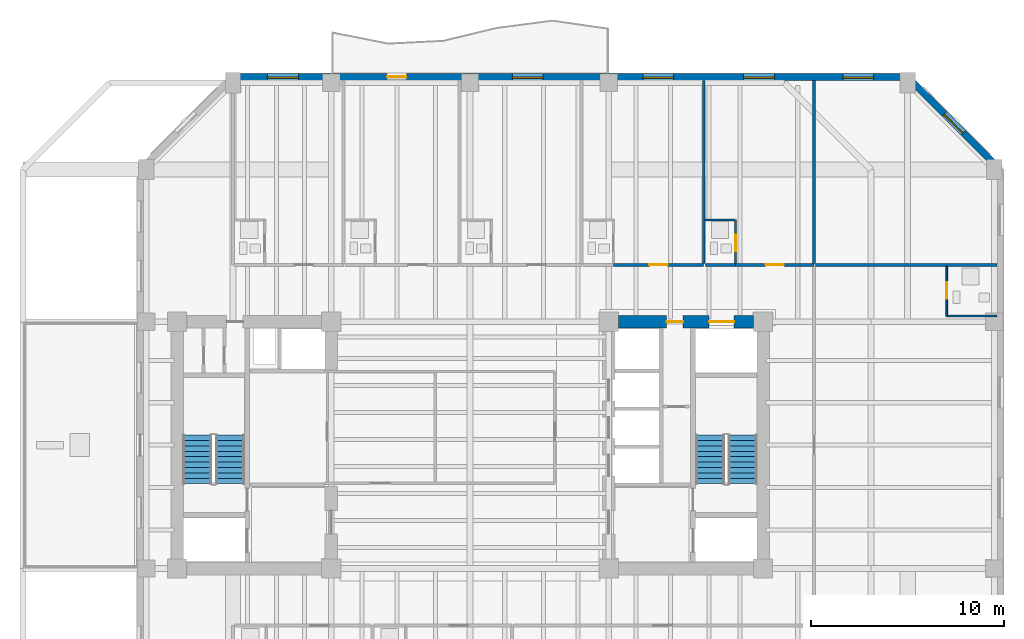
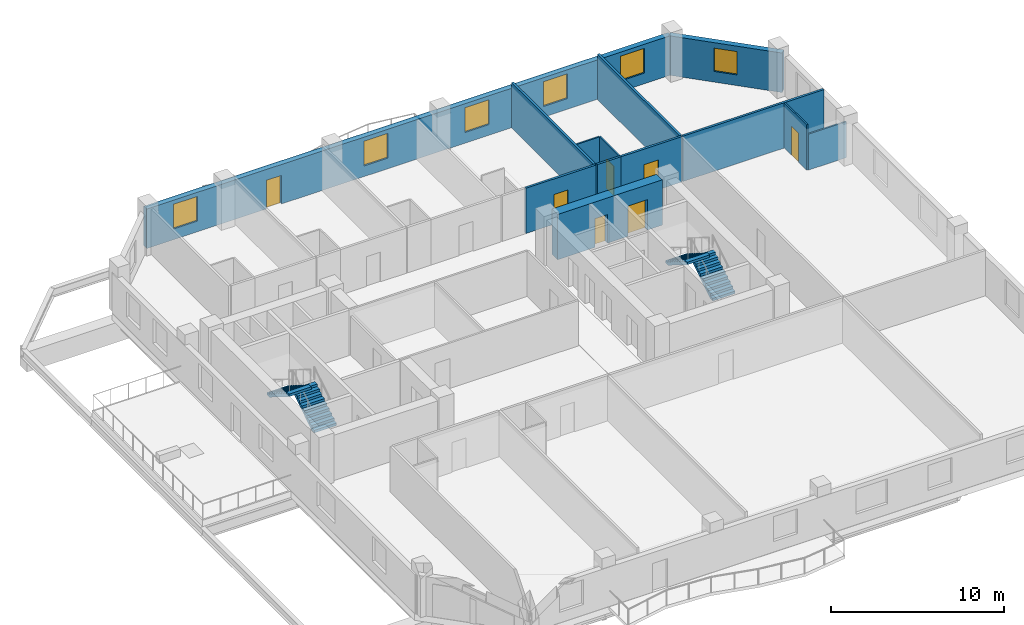
# One storey, part 6 of 11: 13 walls, 7 doors, 6 windows, 4 stair flights, 13 openings, 2 elements without a shape of their own.
"""IFC4 building model written with IfcOpenShell, lengths in metres."""

import ifcopenshell
import ifcopenshell.guid

model = None  # the IFC model being written
_history = None  # IfcOwnerHistory: only IFC2X3 demands one
_inside = {}  # id of a spatial element -> (the spatial element, [elements in it])
_under = {}  # id of a project, library or spatial element -> (it, [spatial elements below it])
_declared = {}  # id of a project -> (the project, [libraries it declares])
_typed = {}  # id of a type object -> (the type object, [elements of that type])
_made_of = {}  # id of a material, layer set ... -> (it, [elements and type objects made of it])


def new_model(schema):
    """Start an empty IFC model of exactly this schema.

    Asked for "IFC4X3", IfcOpenShell would pick the latest addendum, in which some entities
    have other attributes; the version numbers below select the first issue.
    IFC2X3 requires an IfcOwnerHistory on every rooted entity: one is made here for all.
    """
    global model, _history
    if schema == "IFC4X3":
        model = ifcopenshell.file(schema_version=(4, 3, 0, 0))
    else:
        model = ifcopenshell.file(schema=schema)
    _inside.clear()
    _under.clear()
    _declared.clear()
    _typed.clear()
    _made_of.clear()
    _history = None
    if model.schema == "IFC2X3":
        org = make("IfcOrganization", Name="unknown")
        user = make(
            "IfcPersonAndOrganization",
            ThePerson=make("IfcPerson", FamilyName="unknown"),
            TheOrganization=org,
        )
        app = make(
            "IfcApplication",
            ApplicationDeveloper=org,
            Version="unknown",
            ApplicationFullName="unknown",
            ApplicationIdentifier="unknown",
        )
        _history = make(
            "IfcOwnerHistory",
            OwningUser=user,
            OwningApplication=app,
            ChangeAction="ADDED",
            CreationDate=0,
        )
    return model


def make(cls, **values):
    """One entity of the class cls with the attributes given. An attribute that is None is left unset."""
    return model.create_entity(
        cls, **{name: value for name, value in values.items() if value is not None}
    )


def rooted(cls, **values):
    """An entity with a GlobalId (a new one), such as an element, a storey or a relation."""
    return make(cls, GlobalId=ifcopenshell.guid.new(), OwnerHistory=_history, **values)


def si_unit(unit_type, name, prefix=None):
    """IfcSIUnit, for example si_unit("LENGTHUNIT", "METRE", prefix="MILLI")."""
    return make("IfcSIUnit", UnitType=unit_type, Prefix=prefix, Name=name)


def assignment(units):
    """IfcUnitAssignment: the units of a project."""
    return None if units is None else make("IfcUnitAssignment", Units=units)


def point(xyz):
    """IfcCartesianPoint."""
    return None if xyz is None else make("IfcCartesianPoint", Coordinates=xyz)


def direction(xyz):
    """IfcDirection."""
    return None if xyz is None else make("IfcDirection", DirectionRatios=xyz)


def frame(location, z_axis=None, x_axis=None):
    """IfcAxis2Placement3D, a coordinate frame: its origin and axes. An axis left out is left unset."""
    return make(
        "IfcAxis2Placement3D",
        Location=point(location),
        Axis=direction(z_axis),
        RefDirection=direction(x_axis),
    )


def frame_2d(location, x_axis=None):
    """IfcAxis2Placement2D, a coordinate frame in the plane: its origin and x axis."""
    return make(
        "IfcAxis2Placement2D", Location=point(location), RefDirection=direction(x_axis)
    )


def origin():
    """The frame at (0, 0, 0) with its axes left unset."""
    return frame((0.0, 0.0, 0.0))


def place(relative_to, where):
    """IfcLocalPlacement: puts the frame where relative to a parent placement (None: the world)."""
    return make(
        "IfcLocalPlacement", PlacementRelTo=relative_to, RelativePlacement=where
    )


def context(
    kind, dimensions, precision=None, world=None, true_north=None, identifier=None
):
    """IfcGeometricRepresentationContext, for example the 3D "Model" context."""
    return make(
        "IfcGeometricRepresentationContext",
        ContextIdentifier=identifier,
        ContextType=kind,
        CoordinateSpaceDimension=dimensions,
        Precision=precision,
        WorldCoordinateSystem=world,
        TrueNorth=true_north,
    )


def subcontext(parent, identifier, kind, view, scale=None):
    """IfcGeometricRepresentationSubContext, for example "Body" below "Model"."""
    return make(
        "IfcGeometricRepresentationSubContext",
        ContextIdentifier=identifier,
        ContextType=kind,
        ParentContext=parent,
        TargetScale=scale,
        TargetView=view,
    )


def project(units=None, contexts=None):
    """IfcProject with its units and contexts."""
    return rooted(
        "IfcProject",
        Name="project",
        RepresentationContexts=contexts,
        UnitsInContext=assignment(units),
    )


def spatial(cls, under=None, at=None, **own):
    """A site, building, storey or space (cls), placed at a placement, below another one or the project."""
    s = rooted(cls, ObjectPlacement=at, **own)
    if under is not None:
        _under.setdefault(under.id(), (under, []))[1].append(s)
    return s


def polyline(points):
    """IfcPolyline through the points."""
    return make("IfcPolyline", Points=[point(p) for p in points])


def profile(cls, at=None, kind="AREA", **sizes):
    """A parametric profile (cls). Its sizes go by their IFC names, for example OverallWidth=200.0."""
    return make(cls, ProfileType=kind, Position=at, **sizes)


def rectangle(**sizes):
    """IfcRectangleProfileDef."""
    return profile("IfcRectangleProfileDef", **sizes)


def outline(outer, holes=None, kind="AREA"):
    """IfcArbitraryClosedProfileDef: a profile drawn as a closed curve; with holes, ...WithVoids."""
    if holes is None:
        return make("IfcArbitraryClosedProfileDef", ProfileType=kind, OuterCurve=outer)
    return make(
        "IfcArbitraryProfileDefWithVoids",
        ProfileType=kind,
        OuterCurve=outer,
        InnerCurves=holes,
    )


def extrude(swept, where, along, depth):
    """IfcExtrudedAreaSolid: the profile swept, set in the frame where, extruded along a direction by depth."""
    return make(
        "IfcExtrudedAreaSolid",
        SweptArea=swept,
        Position=where,
        ExtrudedDirection=direction(along),
        Depth=depth,
    )


def shape(context_of_items, identifier, shape_type, items):
    """IfcShapeRepresentation: the items that make up one representation, for example the "Body"."""
    return make(
        "IfcShapeRepresentation",
        ContextOfItems=context_of_items,
        RepresentationIdentifier=identifier,
        RepresentationType=shape_type,
        Items=items,
    )


def material(Name=None, Category=None):
    """IfcMaterial."""
    return make("IfcMaterial", Name=Name, Category=Category)


def layer(
    of_material, thickness, ventilated=None, Name=None, Category=None, Priority=None
):
    """IfcMaterialLayer: one layer of a wall or slab, of a material (None: an air gap)."""
    return make(
        "IfcMaterialLayer",
        Material=of_material,
        LayerThickness=thickness,
        IsVentilated=ventilated,
        Name=Name,
        Category=Category,
        Priority=Priority,
    )


def layer_set(layers, Name=None):
    """IfcMaterialLayerSet."""
    return make("IfcMaterialLayerSet", MaterialLayers=layers, LayerSetName=Name)


def made_of(thing, what):
    """Note that an element or type object is made of a material, layer set ...; save() writes the relation."""
    if what is not None:
        _made_of.setdefault(what.id(), (what, []))[1].append(thing)
    return thing


def type_object(cls, material=None, **own):
    """A type object (cls), such as IfcWallType, which elements share."""
    return made_of(rooted(cls, **own), material)


def element(
    cls,
    number,
    at=None,
    inside=None,
    cuts=None,
    type_object=None,
    material=None,
    context=None,
    identifier="Body",
    shape_type=None,
    held_by="IfcProductDefinitionShape",
    body=None,
    shapes=None,
    **own,
):
    """One element of the class cls, such as IfcWall. Its Tag is "e" and its number.

    at: its placement. inside: the storey or other place that contains it. cuts: it is an
    opening in that element (IfcRelVoidsElement). A single representation is given by context,
    identifier, shape_type and body (its items); several are given by shapes. held_by: the class
    of the entity that holds the representations. save() writes the other relations.
    """
    e = rooted(cls, Tag="e%d" % number, ObjectPlacement=at, **own)
    if body is not None:
        shapes = [shape(context, identifier, shape_type, body)]
    if shapes is not None:
        e.Representation = make(held_by, Representations=shapes)
    if inside is not None:
        _inside.setdefault(inside.id(), (inside, []))[1].append(e)
    if cuts is not None:
        rooted(
            "IfcRelVoidsElement", RelatingBuildingElement=cuts, RelatedOpeningElement=e
        )
    if type_object is not None:
        _typed.setdefault(type_object.id(), (type_object, []))[1].append(e)
    return made_of(e, material)


def fill(opening, filler):
    """IfcRelFillsElement: the door or window that sits in an opening."""
    return rooted(
        "IfcRelFillsElement",
        RelatingOpeningElement=opening,
        RelatedBuildingElement=filler,
    )


def aggregate(whole, parts):
    """IfcRelAggregates: a whole, such as a stair, and the parts it consists of."""
    return rooted("IfcRelAggregates", RelatingObject=whole, RelatedObjects=parts)


def save(model, path):
    """Write the relations noted so far, then the file.

    IfcRelAggregates (storeys below a building ...), IfcRelContainedInSpatialStructure (elements
    in a storey), IfcRelDefinesByType, IfcRelAssociatesMaterial and IfcRelDeclares: one each for
    every whole, place, type object, material and project.
    """
    for whole, parts in _under.values():
        aggregate(whole, parts)
    for where, things in _inside.values():
        rooted(
            "IfcRelContainedInSpatialStructure",
            RelatedElements=things,
            RelatingStructure=where,
        )
    for kind, things in _typed.values():
        rooted("IfcRelDefinesByType", RelatedObjects=things, RelatingType=kind)
    for what, things in _made_of.values():
        rooted("IfcRelAssociatesMaterial", RelatedObjects=things, RelatingMaterial=what)
    for by, libraries in _declared.values():
        rooted("IfcRelDeclares", RelatingContext=by, RelatedDefinitions=libraries)
    model.write(path)


model = new_model("IFC4")

# Units and contexts
model_context = context("Model", 3, precision=1e-05, world=origin(), true_north=direction((0.0, 1.0)))
body_context = subcontext(model_context, "Body", "Model", "MODEL_VIEW")
ifc_project = project(units=[si_unit("LENGTHUNIT", "METRE"), si_unit("AREAUNIT", "SQUARE_METRE"), si_unit("VOLUMEUNIT", "CUBIC_METRE"), si_unit("PLANEANGLEUNIT", "RADIAN"), si_unit("MASSUNIT", "GRAM", prefix="KILO")], contexts=[model_context])

# Site, building, storey
site_placement = place(None, origin())
site = spatial("IfcSite", under=ifc_project, at=site_placement, CompositionType="ELEMENT")
building_placement = place(site_placement, origin())
building = spatial("IfcBuilding", under=site, at=building_placement, Name="Kranthara Brick Stack", CompositionType="ELEMENT")
storey_placement = place(building_placement, frame((0.0, 0.0, 141.300048828125)))
storey = spatial("IfcBuildingStorey", under=building, at=storey_placement, Name="L35", CompositionType="ELEMENT", Elevation=141.300048828125)

# Wall, openings, door, windows
ifc_material_1 = material(Name="Kiln-fired clay brick masonry M15", Category="masonry")
ifc_layer_1 = layer(ifc_material_1, 0.35009765625)
ifc_layer_set_1 = layer_set([ifc_layer_1], Name="Kiln-fired clay brick masonry M15")
wall_type_1 = type_object("IfcWallType", Name="WL-BRK-SPND-350", PredefinedType="STANDARD", material=ifc_layer_set_1)
wall_1_placement = place(storey_placement, frame((15.699951171875, 46.304931640625, 0.0), z_axis=(0.0, 0.0, 1.0), x_axis=(1.0, 0.0, 0.0)))
wall_1 = element("IfcWall", 1, at=wall_1_placement, inside=storey, type_object=wall_type_1, Name="L35 Exterior Brick Facade Wall NORTH 1", PredefinedType="STANDARD", context=body_context, shape_type="SweptSolid", body=[
    extrude(rectangle(XDim=35.0, YDim=0.35009765625, at=frame_2d((17.5, 0.0))), origin(), (0.0, 0.0, 1.0), 2.784912109375),
])
opening_1_placement = place(wall_1_placement, frame((8.0, 0.0, 0.0)))
opening_1 = element("IfcOpeningElement", 2, at=opening_1_placement, cuts=wall_1, Name="Opening D03", PredefinedType="OPENING", context=body_context, shape_type="SweptSolid", body=[
    extrude(rectangle(XDim=1.0, YDim=2.02001953125, at=frame_2d((0.5, 1.010009765625))), frame((0.0, 0.18505859375, 0.0), z_axis=(0.0, -1.0, 0.0), x_axis=(1.0, 0.0, 0.0)), (0.0, 0.0, 1.0), 0.3701171875),
])
opening_2_placement = place(wall_1_placement, frame((1.7880859375, 0.0, 0.75)))
opening_2 = element("IfcOpeningElement", 3, at=opening_2_placement, cuts=wall_1, Name="Opening WN04", PredefinedType="OPENING", context=body_context, shape_type="SweptSolid", body=[
    extrude(rectangle(XDim=1.60009765625, YDim=1.75, at=frame_2d((0.800048828125, 0.875))), frame((0.0, 0.18505859375, 0.0), z_axis=(0.0, -1.0, 0.0), x_axis=(1.0, 0.0, 0.0)), (0.0, 0.0, 1.0), 0.3701171875),
])
opening_3_placement = place(wall_1_placement, frame((14.4951171875, 0.0, 0.75)))
opening_3 = element("IfcOpeningElement", 4, at=opening_3_placement, cuts=wall_1, Name="Opening WN04", PredefinedType="OPENING", context=body_context, shape_type="SweptSolid", body=[
    extrude(rectangle(XDim=1.60009765625, YDim=1.75, at=frame_2d((0.800048828125, 0.875))), frame((0.0, 0.18505859375, 0.0), z_axis=(0.0, -1.0, 0.0), x_axis=(1.0, 0.0, 0.0)), (0.0, 0.0, 1.0), 0.3701171875),
])
opening_4_placement = place(wall_1_placement, frame((21.260986328125, 0.0, 0.75)))
opening_4 = element("IfcOpeningElement", 5, at=opening_4_placement, cuts=wall_1, Name="Opening WN04", PredefinedType="OPENING", context=body_context, shape_type="SweptSolid", body=[
    extrude(rectangle(XDim=1.60009765625, YDim=1.75, at=frame_2d((0.800048828125, 0.875))), frame((0.0, 0.18505859375, 0.0), z_axis=(0.0, -1.0, 0.0), x_axis=(1.0, 0.0, 0.0)), (0.0, 0.0, 1.0), 0.3701171875),
])
opening_5_placement = place(wall_1_placement, frame((26.486083984375, 0.0, 0.75)))
opening_5 = element("IfcOpeningElement", 6, at=opening_5_placement, cuts=wall_1, Name="Opening WN04", PredefinedType="OPENING", context=body_context, shape_type="SweptSolid", body=[
    extrude(rectangle(XDim=1.60009765625, YDim=1.75, at=frame_2d((0.800048828125, 0.875))), frame((0.0, 0.18505859375, 0.0), z_axis=(0.0, -1.0, 0.0), x_axis=(1.0, 0.0, 0.0)), (0.0, 0.0, 1.0), 0.3701171875),
])
opening_6_placement = place(wall_1_placement, frame((31.636962890625, 0.0, 0.75)))
opening_6 = element("IfcOpeningElement", 7, at=opening_6_placement, cuts=wall_1, Name="Opening WN04", PredefinedType="OPENING", context=body_context, shape_type="SweptSolid", body=[
    extrude(rectangle(XDim=1.60009765625, YDim=1.75, at=frame_2d((0.800048828125, 0.875))), frame((0.0, 0.18505859375, 0.0), z_axis=(0.0, -1.0, 0.0), x_axis=(1.0, 0.0, 0.0)), (0.0, 0.0, 1.0), 0.3701171875),
])
ifc_material_2 = material(Name="Bronze anodised aluminium and laminated glass", Category="aluminium")
door_type_1 = type_object("IfcDoorType", Name="DR-BALC-1000", OperationType="NOTDEFINED", PredefinedType="DOOR", material=ifc_material_2)
door_1_placement = place(opening_1_placement, origin())
door_1 = element("IfcDoor", 8, at=door_1_placement, inside=storey, type_object=door_type_1, Name="L35 North Balcony Terrace Door", OperationType="SINGLE_SWING_RIGHT", OverallHeight=2.02001953125, OverallWidth=1.0, PredefinedType="DOOR", context=body_context, shape_type="SweptSolid", body=[
    extrude(rectangle(XDim=1.0, YDim=2.02001953125, at=frame_2d((0.5, 1.010009765625))), frame((0.0, 0.02490234375, 0.0), z_axis=(0.0, -1.0, 0.0), x_axis=(1.0, 0.0, 0.0)), (0.0, 0.0, 1.0), 0.050048828125),
])
fill(opening_1, door_1)
ifc_material_3 = material(Name="Double-glazed low-E solar control glass", Category="glass")
window_type_1 = type_object("IfcWindowType", Name="WN-HTL-1600x1850", PartitioningType="DOUBLE_PANEL_VERTICAL", PredefinedType="WINDOW", material=ifc_material_3)
window_1_placement = place(opening_2_placement, origin())
window_1 = element("IfcWindow", 9, at=window_1_placement, inside=storey, type_object=window_type_1, Name="L35 North Deep-Set Brick Window 01", OverallHeight=1.75, OverallWidth=1.60009765625, PartitioningType="SINGLE_PANEL", PredefinedType="WINDOW", context=body_context, shape_type="SweptSolid", body=[
    extrude(rectangle(XDim=1.60009765625, YDim=1.75, at=frame_2d((0.800048828125, 0.875))), frame((0.0, -0.010009765625, 0.0), z_axis=(0.0, -1.0, 0.0), x_axis=(1.0, 0.0, 0.0)), (0.0, 0.0, 1.0), 0.06005859375),
])
fill(opening_2, window_1)
window_2_placement = place(opening_3_placement, origin())
window_2 = element("IfcWindow", 10, at=window_2_placement, inside=storey, type_object=window_type_1, Name="L35 North Deep-Set Brick Window 02", OverallHeight=1.75, OverallWidth=1.60009765625, PartitioningType="SINGLE_PANEL", PredefinedType="WINDOW", context=body_context, shape_type="SweptSolid", body=[
    extrude(rectangle(XDim=1.60009765625, YDim=1.75, at=frame_2d((0.800048828125, 0.875))), frame((0.0, -0.010009765625, 0.0), z_axis=(0.0, -1.0, 0.0), x_axis=(1.0, 0.0, 0.0)), (0.0, 0.0, 1.0), 0.06005859375),
])
fill(opening_3, window_2)
window_3_placement = place(opening_4_placement, origin())
window_3 = element("IfcWindow", 11, at=window_3_placement, inside=storey, type_object=window_type_1, Name="L35 North Deep-Set Brick Window 03", OverallHeight=1.75, OverallWidth=1.60009765625, PartitioningType="SINGLE_PANEL", PredefinedType="WINDOW", context=body_context, shape_type="SweptSolid", body=[
    extrude(rectangle(XDim=1.60009765625, YDim=1.75, at=frame_2d((0.800048828125, 0.875))), frame((0.0, -0.010009765625, 0.0), z_axis=(0.0, -1.0, 0.0), x_axis=(1.0, 0.0, 0.0)), (0.0, 0.0, 1.0), 0.06005859375),
])
fill(opening_4, window_3)
window_4_placement = place(opening_5_placement, origin())
window_4 = element("IfcWindow", 12, at=window_4_placement, inside=storey, type_object=window_type_1, Name="L35 North Deep-Set Brick Window 04", OverallHeight=1.75, OverallWidth=1.60009765625, PartitioningType="SINGLE_PANEL", PredefinedType="WINDOW", context=body_context, shape_type="SweptSolid", body=[
    extrude(rectangle(XDim=1.60009765625, YDim=1.75, at=frame_2d((0.800048828125, 0.875))), frame((0.0, -0.010009765625, 0.0), z_axis=(0.0, -1.0, 0.0), x_axis=(1.0, 0.0, 0.0)), (0.0, 0.0, 1.0), 0.06005859375),
])
fill(opening_5, window_4)
window_5_placement = place(opening_6_placement, origin())
window_5 = element("IfcWindow", 13, at=window_5_placement, inside=storey, type_object=window_type_1, Name="L35 North Deep-Set Brick Window 05", OverallHeight=1.75, OverallWidth=1.60009765625, PartitioningType="SINGLE_PANEL", PredefinedType="WINDOW", context=body_context, shape_type="SweptSolid", body=[
    extrude(rectangle(XDim=1.60009765625, YDim=1.75, at=frame_2d((0.800048828125, 0.875))), frame((0.0, -0.010009765625, 0.0), z_axis=(0.0, -1.0, 0.0), x_axis=(1.0, 0.0, 0.0)), (0.0, 0.0, 1.0), 0.06005859375),
])
fill(opening_6, window_5)

# Wall, opening, window
wall_2_placement = place(storey_placement, frame((50.699951171875, 46.304931640625, 0.0), z_axis=(0.0, 0.0, 1.0), x_axis=(0.707106781187, -0.707106781187, 0.0)))
wall_2 = element("IfcWall", 14, at=wall_2_placement, inside=storey, type_object=wall_type_1, Name="L35 Exterior Brick Facade Wall NE 1", PredefinedType="STANDARD", context=body_context, shape_type="SweptSolid", body=[
    extrude(rectangle(XDim=6.795166015625, YDim=0.35009765625, at=frame_2d((3.3974609375, 0.0))), origin(), (0.0, 0.0, 1.0), 2.784912109375),
])
opening_7_placement = place(wall_2_placement, frame((2.697998046875, 0.0, 0.75)))
opening_7 = element("IfcOpeningElement", 15, at=opening_7_placement, cuts=wall_2, Name="Opening WN10", PredefinedType="OPENING", context=body_context, shape_type="SweptSolid", body=[
    extrude(rectangle(XDim=1.39990234375, YDim=1.64990234375, at=frame_2d((0.699951171875, 0.824951171875))), frame((0.0, 0.18505859375, 0.0), z_axis=(0.0, -1.0, 0.0), x_axis=(1.0, 0.0, 0.0)), (0.0, 0.0, 1.0), 0.3701171875),
])
ifc_material_4 = material(Name="Double-glazed low-E solar control glass", Category="glass")
window_type_2 = type_object("IfcWindowType", Name="WN-CHM-1400x1750", PartitioningType="SINGLE_PANEL", PredefinedType="WINDOW", material=ifc_material_4)
window_6_placement = place(opening_7_placement, origin())
window_6 = element("IfcWindow", 16, at=window_6_placement, inside=storey, type_object=window_type_2, Name="L35 NE Chamfer Corner Window", OverallHeight=1.64990234375, OverallWidth=1.39990234375, PartitioningType="SINGLE_PANEL", PredefinedType="WINDOW", context=body_context, shape_type="SweptSolid", body=[
    extrude(rectangle(XDim=1.39990234375, YDim=1.64990234375, at=frame_2d((0.699951171875, 0.824951171875))), frame((0.0, -0.010009765625, 0.0), z_axis=(0.0, -1.0, 0.0), x_axis=(1.0, 0.0, 0.0)), (0.0, 0.0, 1.0), 0.06005859375),
])
fill(opening_7, window_6)

# Wall, openings, doors
ifc_material_5 = material(Name="Concrete C60/75", Category="concrete")
ifc_layer_2 = layer(ifc_material_5, 0.64990234375)
ifc_layer_set_2 = layer_set([ifc_layer_2], Name="Concrete C60/75")
wall_type_2 = type_object("IfcWallType", Name="WL-CORE-650", PredefinedType="SHEAR", material=ifc_layer_set_2)
wall_3_placement = place(storey_placement, frame((35.705078125, 33.60009765625, 0.0), z_axis=(0.0, 0.0, 1.0), x_axis=(1.0, 0.0, 0.0)))
wall_3 = element("IfcWall", 17, at=wall_3_placement, inside=storey, type_object=wall_type_2, Name="L35 East Core Shear Wall North", PredefinedType="SHEAR", context=body_context, shape_type="SweptSolid", body=[
    extrude(rectangle(XDim=6.989990234375, YDim=0.64990234375, at=frame_2d((3.4951171875, 0.0))), origin(), (0.0, 0.0, 1.0), 3.199951171875),
])
opening_8_placement = place(wall_3_placement, frame((4.695068359375, 0.0, 0.0)))
opening_8 = element("IfcOpeningElement", 18, at=opening_8_placement, cuts=wall_3, Name="Opening LD03", PredefinedType="OPENING", context=body_context, shape_type="SweptSolid", body=[
    extrude(rectangle(XDim=1.300048828125, YDim=2.14990234375, at=frame_2d((0.64990234375, 1.074951171875))), frame((0.0, 0.3349609375, 0.0), z_axis=(0.0, -1.0, 0.0), x_axis=(1.0, 0.0, 0.0)), (0.0, 0.0, 1.0), 0.669921875),
])
opening_9_placement = place(wall_3_placement, frame((2.4951171875, 0.0, 0.0)))
opening_9 = element("IfcOpeningElement", 19, at=opening_9_placement, cuts=wall_3, Name="Opening D10", PredefinedType="OPENING", context=body_context, shape_type="SweptSolid", body=[
    extrude(rectangle(XDim=0.85009765625, YDim=2.02001953125, at=frame_2d((0.425048828125, 1.010009765625))), frame((0.0, 0.3349609375, 0.0), z_axis=(0.0, -1.0, 0.0), x_axis=(1.0, 0.0, 0.0)), (0.0, 0.0, 1.0), 0.669921875),
])
ifc_material_6 = material(Name="Stainless steel sliding landing door", Category="steel")
door_type_2 = type_object("IfcDoorType", Name="DR-LD-SV1300", OperationType="DOUBLE_DOOR_SLIDING", PredefinedType="DOOR", material=ifc_material_6)
door_2_placement = place(opening_8_placement, origin())
door_2 = element("IfcDoor", 20, at=door_2_placement, inside=storey, type_object=door_type_2, Name="L35 Stretcher Service Lift SV-01 Landing Door", OperationType="DOUBLE_DOOR_SLIDING", OverallHeight=2.14990234375, OverallWidth=1.300048828125, PredefinedType="DOOR", context=body_context, shape_type="SweptSolid", body=[
    extrude(rectangle(XDim=1.300048828125, YDim=2.14990234375, at=frame_2d((0.64990234375, 1.074951171875))), frame((0.0, 0.02490234375, 0.0), z_axis=(0.0, -1.0, 0.0), x_axis=(1.0, 0.0, 0.0)), (0.0, 0.0, 1.0), 0.050048828125),
])
fill(opening_8, door_2)
ifc_material_7 = material(Name="Solid-core hardwood timber leaf in steel frame", Category="steel")
door_type_3 = type_object("IfcDoorType", Name="DR-RSR-850", OperationType="NOTDEFINED", PredefinedType="DOOR", material=ifc_material_7)
door_3_placement = place(opening_9_placement, origin())
door_3 = element("IfcDoor", 21, at=door_3_placement, inside=storey, type_object=door_type_3, Name="L35 East Core Service Room Door", OperationType="SINGLE_SWING_LEFT", OverallHeight=2.02001953125, OverallWidth=0.85009765625, PredefinedType="DOOR", context=body_context, shape_type="SweptSolid", body=[
    extrude(rectangle(XDim=0.85009765625, YDim=2.02001953125, at=frame_2d((0.425048828125, 1.010009765625))), frame((0.0, 0.02490234375, 0.0), z_axis=(0.0, -1.0, 0.0), x_axis=(1.0, 0.0, 0.0)), (0.0, 0.0, 1.0), 0.050048828125),
])
fill(opening_9, door_3)

# Wall, opening, door
ifc_material_8 = material(Name="Moisture-resistant wet-room partition", Category="other")
ifc_layer_3 = layer(ifc_material_8, 0.10009765625)
ifc_layer_set_3 = layer_set([ifc_layer_3], Name="Moisture-resistant wet-room partition")
wall_type_3 = type_object("IfcWallType", Name="WL-PART-100", PredefinedType="PARTITIONING", material=ifc_layer_set_3)
wall_4_placement = place(storey_placement, frame((41.77099609375, 36.6298828125, 0.0), z_axis=(0.0, 0.0, 1.0), x_axis=(0.0, 1.0, 0.0)))
wall_4 = element("IfcWall", 22, at=wall_4_placement, inside=storey, type_object=wall_type_3, Name="L35 Interior Partition 045", PredefinedType="PARTITIONING", context=body_context, shape_type="SweptSolid", body=[
    extrude(rectangle(XDim=2.25, YDim=0.10009765625, at=frame_2d((1.125, 0.0))), origin(), (0.0, 0.0, 1.0), 3.199951171875),
])
opening_10_placement = place(wall_4_placement, frame((0.639892578125, 0.0, 0.0)))
opening_10 = element("IfcOpeningElement", 23, at=opening_10_placement, cuts=wall_4, Name="Opening D17", PredefinedType="OPENING", context=body_context, shape_type="SweptSolid", body=[
    extrude(rectangle(XDim=0.85009765625, YDim=2.050048828125, at=frame_2d((0.425048828125, 1.02490234375))), frame((0.0, 0.06005859375, 0.0), z_axis=(0.0, -1.0, 0.0), x_axis=(1.0, 0.0, 0.0)), (0.0, 0.0, 1.0), 0.1201171875),
])
ifc_material_9 = material(Name="Solid-core hardwood timber leaf in steel frame", Category="steel")
door_type_4 = type_object("IfcDoorType", Name="DR-WET-850", OperationType="NOTDEFINED", PredefinedType="DOOR", material=ifc_material_9)
door_4_placement = place(opening_10_placement, origin())
door_4 = element("IfcDoor", 24, at=door_4_placement, inside=storey, type_object=door_type_4, Name="L35 Key 08 En-Suite Door 20", OperationType="SINGLE_SWING_RIGHT", OverallHeight=2.050048828125, OverallWidth=0.85009765625, PredefinedType="DOOR", context=body_context, shape_type="SweptSolid", body=[
    extrude(rectangle(XDim=0.85009765625, YDim=2.050048828125, at=frame_2d((0.425048828125, 1.02490234375))), frame((0.0, 0.02490234375, 0.0), z_axis=(0.0, -1.0, 0.0), x_axis=(1.0, 0.0, 0.0)), (0.0, 0.0, 1.0), 0.050048828125),
])
fill(opening_10, door_4)

# Wall
wall_5_placement = place(storey_placement, frame((40.200927734375, 38.8798828125, 0.0), z_axis=(0.0, 0.0, 1.0), x_axis=(1.0, 0.0, 0.0)))
element("IfcWall", 25, at=wall_5_placement, inside=storey, type_object=wall_type_3, Name="L35 Interior Partition 046", PredefinedType="PARTITIONING", context=body_context, shape_type="SweptSolid", body=[
    extrude(rectangle(XDim=1.51513671875, YDim=0.10009765625, at=frame_2d((0.757568359375, 0.0))), origin(), (0.0, 0.0, 1.0), 3.199951171875),
])

# Wall, opening, door
wall_6_placement = place(storey_placement, frame((52.72998046875, 33.89990234375, 0.0), z_axis=(0.0, 0.0, 1.0), x_axis=(0.0, 1.0, 0.0)))
wall_6 = element("IfcWall", 26, at=wall_6_placement, inside=storey, type_object=wall_type_3, Name="L35 Interior Partition 051", PredefinedType="PARTITIONING", context=body_context, shape_type="SweptSolid", body=[
    extrude(rectangle(XDim=2.570068359375, YDim=0.10009765625, at=frame_2d((1.28515625, 0.0))), origin(), (0.0, 0.0, 1.0), 3.199951171875),
])
opening_11_placement = place(wall_6_placement, frame((0.905029296875, 0.0, 0.0)))
opening_11 = element("IfcOpeningElement", 27, at=opening_11_placement, cuts=wall_6, Name="Opening D17", PredefinedType="OPENING", context=body_context, shape_type="SweptSolid", body=[
    extrude(rectangle(XDim=0.85009765625, YDim=2.050048828125, at=frame_2d((0.425048828125, 1.02490234375))), frame((0.0, 0.06005859375, 0.0), z_axis=(0.0, -1.0, 0.0), x_axis=(1.0, 0.0, 0.0)), (0.0, 0.0, 1.0), 0.1201171875),
])
door_5_placement = place(opening_11_placement, origin())
door_5 = element("IfcDoor", 28, at=door_5_placement, inside=storey, type_object=door_type_4, Name="L35 East Key 9 Bath 22", OperationType="SINGLE_SWING_RIGHT", OverallHeight=2.050048828125, OverallWidth=0.85009765625, PredefinedType="DOOR", context=body_context, shape_type="SweptSolid", body=[
    extrude(rectangle(XDim=0.85009765625, YDim=2.050048828125, at=frame_2d((0.425048828125, 1.02490234375))), frame((0.0, 0.02490234375, 0.0), z_axis=(0.0, -1.0, 0.0), x_axis=(1.0, 0.0, 0.0)), (0.0, 0.0, 1.0), 0.050048828125),
])
fill(opening_11, door_5)

# Wall
wall_7_placement = place(storey_placement, frame((52.784912109375, 33.89990234375, 0.0), z_axis=(0.0, 0.0, 1.0), x_axis=(1.0, 0.0, 0.0)))
element("IfcWall", 29, at=wall_7_placement, inside=storey, type_object=wall_type_3, Name="L35 Interior Partition 052", PredefinedType="PARTITIONING", context=body_context, shape_type="SweptSolid", body=[
    extrude(rectangle(XDim=2.5400390625, YDim=0.10009765625, at=frame_2d((1.27001953125, 0.0))), origin(), (0.0, 0.0, 1.0), 2.534912109375),
])

# Wall, opening, door
ifc_material_10 = material(Name="Fire-rated gypsum board partition", Category="other")
ifc_layer_4 = layer(ifc_material_10, 0.14990234375)
ifc_layer_set_4 = layer_set([ifc_layer_4], Name="Fire-rated gypsum board partition")
wall_type_4 = type_object("IfcWallType", Name="WL-PART-150", PredefinedType="PARTITIONING", material=ifc_layer_set_4)
wall_8_placement = place(storey_placement, frame((35.43994140625, 36.550048828125, 0.0), z_axis=(0.0, 0.0, 1.0), x_axis=(1.0, 0.0, 0.0)))
wall_8 = element("IfcWall", 30, at=wall_8_placement, inside=storey, type_object=wall_type_4, Name="L35 Interior Partition 039", PredefinedType="PARTITIONING", context=body_context, shape_type="SweptSolid", body=[
    extrude(rectangle(XDim=4.68115234375, YDim=0.14990234375, at=frame_2d((2.340576171875, 0.0))), origin(), (0.0, 0.0, 1.0), 3.199951171875),
])
opening_12_placement = place(wall_8_placement, frame((1.861083984375, 0.0, 0.0)))
opening_12 = element("IfcOpeningElement", 31, at=opening_12_placement, cuts=wall_8, Name="Opening D09", PredefinedType="OPENING", context=body_context, shape_type="SweptSolid", body=[
    extrude(rectangle(XDim=0.949951171875, YDim=2.10009765625, at=frame_2d((0.47509765625, 1.050048828125))), frame((0.0, 0.0849609375, 0.0), z_axis=(0.0, -1.0, 0.0), x_axis=(1.0, 0.0, 0.0)), (0.0, 0.0, 1.0), 0.169921875),
])
ifc_material_11 = material(Name="Solid-core hardwood timber leaf in steel frame", Category="steel")
door_type_5 = type_object("IfcDoorType", Name="DR-FD-950", OperationType="NOTDEFINED", PredefinedType="DOOR", material=ifc_material_11)
door_6_placement = place(opening_12_placement, origin())
door_6 = element("IfcDoor", 32, at=door_6_placement, inside=storey, type_object=door_type_5, Name="L35 Key 07 Entry 19", OperationType="SINGLE_SWING_LEFT", OverallHeight=2.10009765625, OverallWidth=0.949951171875, PredefinedType="DOOR", context=body_context, shape_type="SweptSolid", body=[
    extrude(rectangle(XDim=0.949951171875, YDim=2.10009765625, at=frame_2d((0.47509765625, 1.050048828125))), frame((0.0, 0.02490234375, 0.0), z_axis=(0.0, -1.0, 0.0), x_axis=(1.0, 0.0, 0.0)), (0.0, 0.0, 1.0), 0.050048828125),
])
fill(opening_12, door_6)

# Walls
wall_9_placement = place(storey_placement, frame((40.12109375, 36.6298828125, 0.0), z_axis=(0.0, 0.0, 1.0), x_axis=(0.0, 1.0, 0.0)))
element("IfcWall", 33, at=wall_9_placement, inside=storey, type_object=wall_type_4, Name="L35 Interior Partition 042", PredefinedType="PARTITIONING", context=body_context, shape_type="SweptSolid", body=[
    extrude(rectangle(XDim=9.4951171875, YDim=0.14990234375, at=frame_2d((4.74755859375, 0.0))), origin(), (0.0, 0.0, 1.0), 3.199951171875),
])
wall_10_placement = place(storey_placement, frame((40.200927734375, 36.550048828125, 0.0), z_axis=(0.0, 0.0, 1.0), x_axis=(1.0, 0.0, 0.0)))
element("IfcWall", 34, at=wall_10_placement, inside=storey, type_object=wall_type_4, Name="L35 Interior Partition 043", PredefinedType="PARTITIONING", context=body_context, shape_type="SweptSolid", body=[
    extrude(rectangle(XDim=1.570068359375, YDim=0.14990234375, at=frame_2d((0.78515625, 0.0))), origin(), (0.0, 0.0, 1.0), 3.199951171875),
])

# Wall, opening, door
wall_11_placement = place(storey_placement, frame((41.77099609375, 36.550048828125, 0.0), z_axis=(0.0, 0.0, 1.0), x_axis=(1.0, 0.0, 0.0)))
wall_11 = element("IfcWall", 35, at=wall_11_placement, inside=storey, type_object=wall_type_4, Name="L35 Interior Partition 044", PredefinedType="PARTITIONING", context=body_context, shape_type="SweptSolid", body=[
    extrude(rectangle(XDim=4.0791015625, YDim=0.14990234375, at=frame_2d((2.03955078125, 0.0))), origin(), (0.0, 0.0, 1.0), 3.199951171875),
])
opening_13_placement = place(wall_11_placement, frame((1.56005859375, 0.0, 0.0)))
opening_13 = element("IfcOpeningElement", 36, at=opening_13_placement, cuts=wall_11, Name="Opening D09", PredefinedType="OPENING", context=body_context, shape_type="SweptSolid", body=[
    extrude(rectangle(XDim=0.949951171875, YDim=2.10009765625, at=frame_2d((0.47509765625, 1.050048828125))), frame((0.0, 0.0849609375, 0.0), z_axis=(0.0, -1.0, 0.0), x_axis=(1.0, 0.0, 0.0)), (0.0, 0.0, 1.0), 0.169921875),
])
door_7_placement = place(opening_13_placement, origin())
door_7 = element("IfcDoor", 37, at=door_7_placement, inside=storey, type_object=door_type_5, Name="L35 Key 08 Entry 21", OperationType="SINGLE_SWING_LEFT", OverallHeight=2.10009765625, OverallWidth=0.949951171875, PredefinedType="DOOR", context=body_context, shape_type="SweptSolid", body=[
    extrude(rectangle(XDim=0.949951171875, YDim=2.10009765625, at=frame_2d((0.47509765625, 1.050048828125))), frame((0.0, 0.02490234375, 0.0), z_axis=(0.0, -1.0, 0.0), x_axis=(1.0, 0.0, 0.0)), (0.0, 0.0, 1.0), 0.050048828125),
])
fill(opening_13, door_7)

# Walls
wall_12_placement = place(storey_placement, frame((45.85009765625, 36.6298828125, 0.0), z_axis=(0.0, 0.0, 1.0), x_axis=(0.0, 1.0, 0.0)))
element("IfcWall", 38, at=wall_12_placement, inside=storey, type_object=wall_type_4, Name="L35 Interior Partition 047", PredefinedType="PARTITIONING", context=body_context, shape_type="SweptSolid", body=[
    extrude(rectangle(XDim=9.4951171875, YDim=0.14990234375, at=frame_2d((4.74755859375, 0.0))), origin(), (0.0, 0.0, 1.0), 3.199951171875),
])
wall_13_placement = place(storey_placement, frame((45.929931640625, 36.550048828125, 0.0), z_axis=(0.0, 0.0, 1.0), x_axis=(1.0, 0.0, 0.0)))
element("IfcWall", 39, at=wall_13_placement, inside=storey, type_object=wall_type_4, Name="L35 Interior Partition 049", PredefinedType="PARTITIONING", context=body_context, shape_type="SweptSolid", body=[
    extrude(rectangle(XDim=9.39501953125, YDim=0.14990234375, at=frame_2d((4.697509765625, 0.0))), origin(), (0.0, 0.0, 1.0), 3.199951171875),
])

# Stair, stair flights
ifc_material_12 = material(Name="Concrete C45/55", Category="concrete")
stair_type = type_object("IfcStairType", Name="ST-CORE-20R", PredefinedType="HALF_TURN_STAIR", material=ifc_material_12)
stair_1_placement = place(storey_placement, origin())
stair_1 = element("IfcStair", 40, at=stair_1_placement, inside=storey, type_object=stair_type, Name="L35 West Core Protected Exit Stair ST01", PredefinedType="HALF_TURN_STAIR")
ifc_material_13 = material(Name="Concrete C45/55", Category="concrete")
stair_flight_type = type_object("IfcStairFlightType", Name="SFL-RC-20R", PredefinedType="STRAIGHT", material=ifc_material_13)
stair_flight_1_placement = place(storey_placement, frame((15.550048828125, 25.199951171875, 0.0), z_axis=(0.0, 0.0, 1.0), x_axis=(0.0, 1.0, 0.0)))
stair_flight_1 = element("IfcStairFlight", 41, at=stair_flight_1_placement, type_object=stair_flight_type, Name="ST01 flight 1", NumberOfRisers=10, NumberOfTreads=9, PredefinedType="STRAIGHT", RiserHeight=0.175, TreadLength=0.28, context=body_context, shape_type="SweptSolid", body=[
    extrude(outline(polyline([(0.0, 0.0), (0.0, 0.175048828125), (0.280029296875, 0.175048828125), (0.280029296875, 0.35009765625), (0.56005859375, 0.35009765625), (0.56005859375, 0.52490234375), (0.840087890625, 0.52490234375), (0.840087890625, 0.699951171875), (1.1201171875, 0.699951171875), (1.1201171875, 0.875), (1.39990234375, 0.875), (1.39990234375, 1.050048828125), (1.679931640625, 1.050048828125), (1.679931640625, 1.22509765625), (1.9599609375, 1.22509765625), (1.9599609375, 1.39990234375), (2.239990234375, 1.39990234375), (2.239990234375, 1.574951171875), (2.52001953125, 1.574951171875), (2.52001953125, 1.75), (2.52001953125, 1.398193359375), (0.28271484375, 0.0), (0.0, 0.0)])), frame((0.0, 0.75, 0.0), z_axis=(0.0, -1.0, 0.0), x_axis=(1.0, 0.0, 0.0)), (0.0, 0.0, 1.0), 1.5),
])
stair_flight_2_placement = place(storey_placement, frame((13.85009765625, 27.719970703125, 1.75), z_axis=(0.0, 0.0, 1.0), x_axis=(0.0, -1.0, 0.0)))
stair_flight_2 = element("IfcStairFlight", 42, at=stair_flight_2_placement, type_object=stair_flight_type, Name="ST01 flight 2", NumberOfRisers=10, NumberOfTreads=9, PredefinedType="STRAIGHT", RiserHeight=0.175, TreadLength=0.28, context=body_context, shape_type="SweptSolid", body=[
    extrude(outline(polyline([(0.0, 0.0), (0.0, 0.175048828125), (0.280029296875, 0.175048828125), (0.280029296875, 0.35009765625), (0.56005859375, 0.35009765625), (0.56005859375, 0.52490234375), (0.840087890625, 0.52490234375), (0.840087890625, 0.699951171875), (1.1201171875, 0.699951171875), (1.1201171875, 0.875), (1.39990234375, 0.875), (1.39990234375, 1.050048828125), (1.679931640625, 1.050048828125), (1.679931640625, 1.22509765625), (1.9599609375, 1.22509765625), (1.9599609375, 1.39990234375), (2.239990234375, 1.39990234375), (2.239990234375, 1.574951171875), (2.52001953125, 1.574951171875), (2.52001953125, 1.75), (2.52001953125, 1.398193359375), (0.28271484375, 0.0), (0.0, 0.0)])), frame((0.0, 0.75, 0.0), z_axis=(0.0, -1.0, 0.0), x_axis=(1.0, 0.0, 0.0)), (0.0, 0.0, 1.0), 1.5),
])
aggregate(stair_1, [stair_flight_1, stair_flight_2])

stair_2_placement = place(storey_placement, origin())
stair_2 = element("IfcStair", 43, at=stair_2_placement, inside=storey, type_object=stair_type, Name="L35 East Core Protected Exit Stair ST02", PredefinedType="HALF_TURN_STAIR")
stair_flight_3_placement = place(storey_placement, frame((42.14990234375, 25.199951171875, 0.0), z_axis=(0.0, 0.0, 1.0), x_axis=(0.0, 1.0, 0.0)))
stair_flight_3 = element("IfcStairFlight", 44, at=stair_flight_3_placement, type_object=stair_flight_type, Name="ST02 flight 1", NumberOfRisers=10, NumberOfTreads=9, PredefinedType="STRAIGHT", RiserHeight=0.175, TreadLength=0.28, context=body_context, shape_type="SweptSolid", body=[
    extrude(outline(polyline([(0.0, 0.0), (0.0, 0.175048828125), (0.280029296875, 0.175048828125), (0.280029296875, 0.35009765625), (0.56005859375, 0.35009765625), (0.56005859375, 0.52490234375), (0.840087890625, 0.52490234375), (0.840087890625, 0.699951171875), (1.1201171875, 0.699951171875), (1.1201171875, 0.875), (1.39990234375, 0.875), (1.39990234375, 1.050048828125), (1.679931640625, 1.050048828125), (1.679931640625, 1.22509765625), (1.9599609375, 1.22509765625), (1.9599609375, 1.39990234375), (2.239990234375, 1.39990234375), (2.239990234375, 1.574951171875), (2.52001953125, 1.574951171875), (2.52001953125, 1.75), (2.52001953125, 1.398193359375), (0.28271484375, 0.0), (0.0, 0.0)])), frame((0.0, 0.75, 0.0), z_axis=(0.0, -1.0, 0.0), x_axis=(1.0, 0.0, 0.0)), (0.0, 0.0, 1.0), 1.5),
])
stair_flight_4_placement = place(storey_placement, frame((40.449951171875, 27.719970703125, 1.75), z_axis=(0.0, 0.0, 1.0), x_axis=(0.0, -1.0, 0.0)))
stair_flight_4 = element("IfcStairFlight", 45, at=stair_flight_4_placement, type_object=stair_flight_type, Name="ST02 flight 2", NumberOfRisers=10, NumberOfTreads=9, PredefinedType="STRAIGHT", RiserHeight=0.175, TreadLength=0.28, context=body_context, shape_type="SweptSolid", body=[
    extrude(outline(polyline([(0.0, 0.0), (0.0, 0.175048828125), (0.280029296875, 0.175048828125), (0.280029296875, 0.35009765625), (0.56005859375, 0.35009765625), (0.56005859375, 0.52490234375), (0.840087890625, 0.52490234375), (0.840087890625, 0.699951171875), (1.1201171875, 0.699951171875), (1.1201171875, 0.875), (1.39990234375, 0.875), (1.39990234375, 1.050048828125), (1.679931640625, 1.050048828125), (1.679931640625, 1.22509765625), (1.9599609375, 1.22509765625), (1.9599609375, 1.39990234375), (2.239990234375, 1.39990234375), (2.239990234375, 1.574951171875), (2.52001953125, 1.574951171875), (2.52001953125, 1.75), (2.52001953125, 1.398193359375), (0.28271484375, 0.0), (0.0, 0.0)])), frame((0.0, 0.75, 0.0), z_axis=(0.0, -1.0, 0.0), x_axis=(1.0, 0.0, 0.0)), (0.0, 0.0, 1.0), 1.5),
])
aggregate(stair_2, [stair_flight_3, stair_flight_4])

save(model, "model.ifc")
